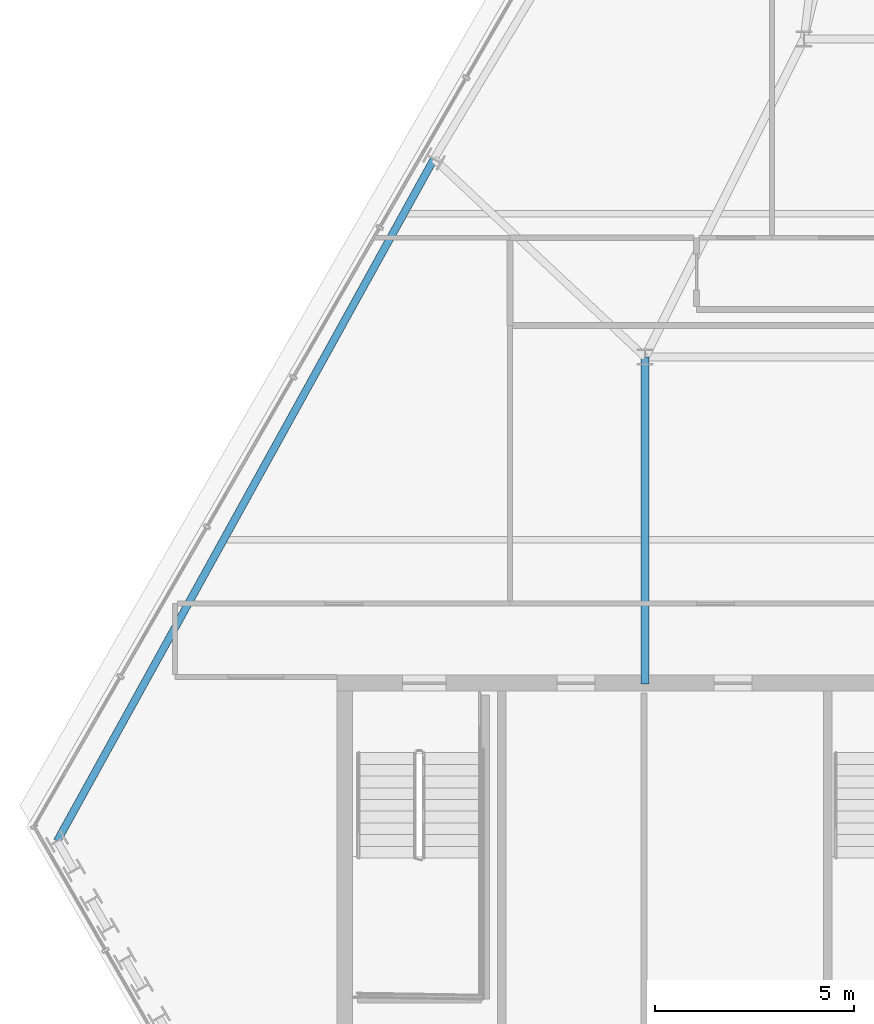
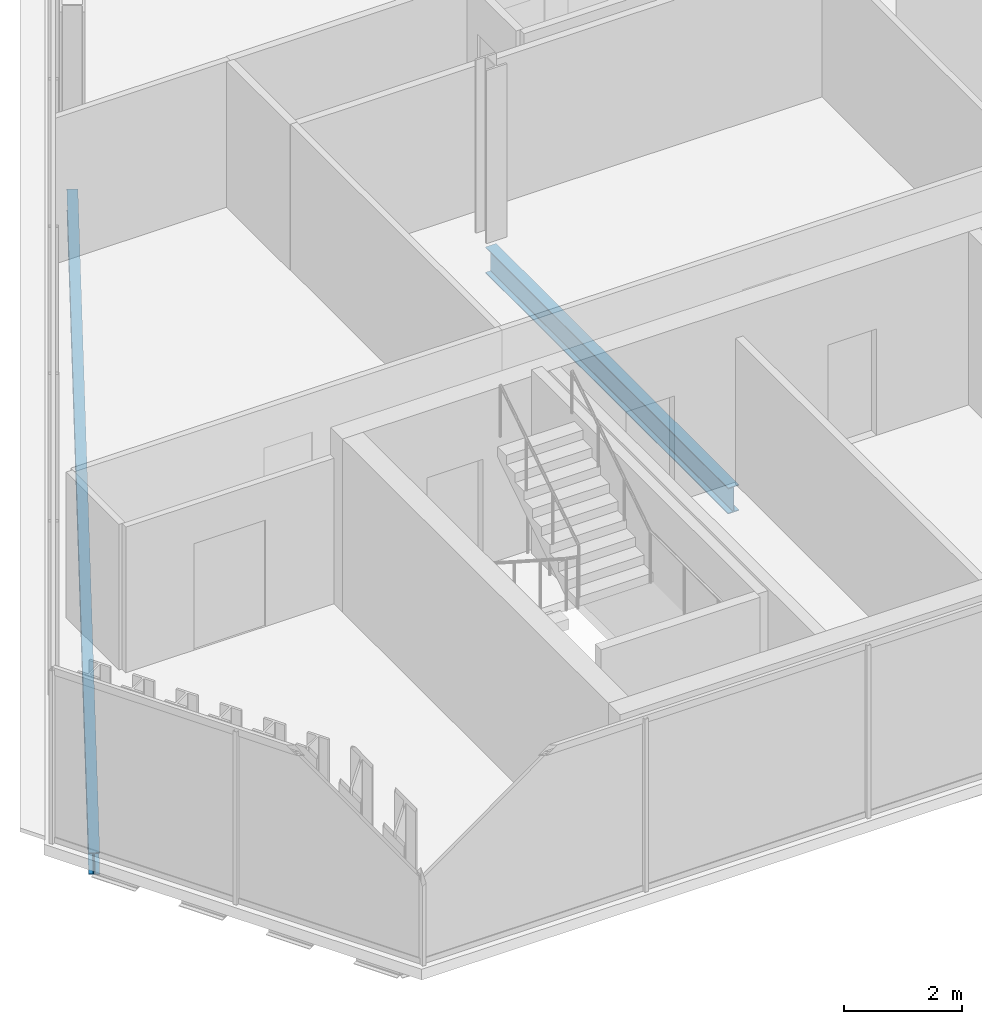
# One storey, part 5 of 29: 2 beams.
"""IFC4 building model written with IfcOpenShell, lengths in metres."""

from ifc_helpers import new_model, si_unit, direction, frame, origin, origin_2d, place, context, subcontext, project, spatial, i_section, extrude, material, material_profile, profile_set, type_object, element, save


model = new_model("IFC4")

# Units and contexts
model_context = context("Model", 3, precision=1e-05, world=origin(), true_north=direction((0.0, 1.0)))
body_context = subcontext(model_context, "Body", "Model", "MODEL_VIEW")
ifc_project = project(units=[si_unit("LENGTHUNIT", "METRE"), si_unit("AREAUNIT", "SQUARE_METRE"), si_unit("VOLUMEUNIT", "CUBIC_METRE"), si_unit("PLANEANGLEUNIT", "RADIAN"), si_unit("MASSUNIT", "GRAM", prefix="KILO")], contexts=[model_context])

# Site, building, storey
site_placement = place(None, origin())
site = spatial("IfcSite", under=ifc_project, at=site_placement, CompositionType="ELEMENT")
building_placement = place(site_placement, origin())
building = spatial("IfcBuilding", under=site, at=building_placement, Name="Ndaravel Arena Tower", CompositionType="ELEMENT")
storey_placement = place(building_placement, frame((0.0, 0.0, 229.39990234375)))
storey = spatial("IfcBuildingStorey", under=building, at=storey_placement, Name="L55", CompositionType="ELEMENT", Elevation=229.39990234375)

# Beams
ifc_material_1 = material(Name="Steel S355", Category="steel")
ifc_material_profile_1 = material_profile(ifc_material_1, i_section(OverallWidth=0.210693359375, OverallDepth=0.53955078125, WebThickness=0.01171875, FlangeThickness=0.018798828125, FilletRadius=0.0126953125, at=origin_2d()), Name="UB 533x210x109")
ifc_profile_set_1 = profile_set([ifc_material_profile_1], Name="Steel S355")
beam_type_1 = type_object("IfcBeamType", Name="BM-GIRD-UB533", PredefinedType="BEAM", material=ifc_profile_set_1)
beam_1_placement = place(storey_placement, frame((34.199951171875, 14.97998046875, -0.489501953125), z_axis=(0.0, 1.0, 0.0), x_axis=(-1.0, 0.0, 0.0)))
element("IfcBeam", 1, at=beam_1_placement, inside=storey, type_object=beam_type_1, Name="L55 Spine Link Girder SLG-01", PredefinedType="BEAM", context=body_context, shape_type="SweptSolid", body=[
    extrude(i_section(OverallWidth=0.210693359375, OverallDepth=0.53955078125, WebThickness=0.01171875, FlangeThickness=0.018798828125, FilletRadius=0.0126953125, at=origin_2d()), origin(), (0.0, 0.0, 1.0), 8.219970703125),
])
ifc_material_2 = material(Name="Steel S355", Category="steel")
ifc_material_profile_2 = material_profile(ifc_material_2, i_section(OverallWidth=0.18994140625, OverallDepth=0.449951171875, WebThickness=0.009521484375, FlangeThickness=0.0146484375, FilletRadius=0.02099609375, at=origin_2d()), Name="IPE 450")
ifc_profile_set_2 = profile_set([ifc_material_profile_2], Name="Steel S355")
beam_type_2 = type_object("IfcBeamType", Name="BM-SPAN-IPE450", PredefinedType="SPANDREL", material=ifc_profile_set_2)
beam_2_placement = place(storey_placement, frame((28.89306640625, 28.181884765625, -0.44482421875), z_axis=(-0.483575124361, -0.875302861357, 0.0), x_axis=(0.875302861357, -0.483575124361, 0.0)))
element("IfcBeam", 2, at=beam_2_placement, inside=storey, type_object=beam_type_2, Name="L55 Perimeter Spandrel Beam SP-19", PredefinedType="SPANDREL", context=body_context, shape_type="SweptSolid", body=[
    extrude(i_section(OverallWidth=0.18994140625, OverallDepth=0.449951171875, WebThickness=0.009521484375, FlangeThickness=0.0146484375, FilletRadius=0.02099609375, at=origin_2d()), origin(), (0.0, 0.0, 1.0), 19.600830078125),
])

save(model, "model.ifc")
